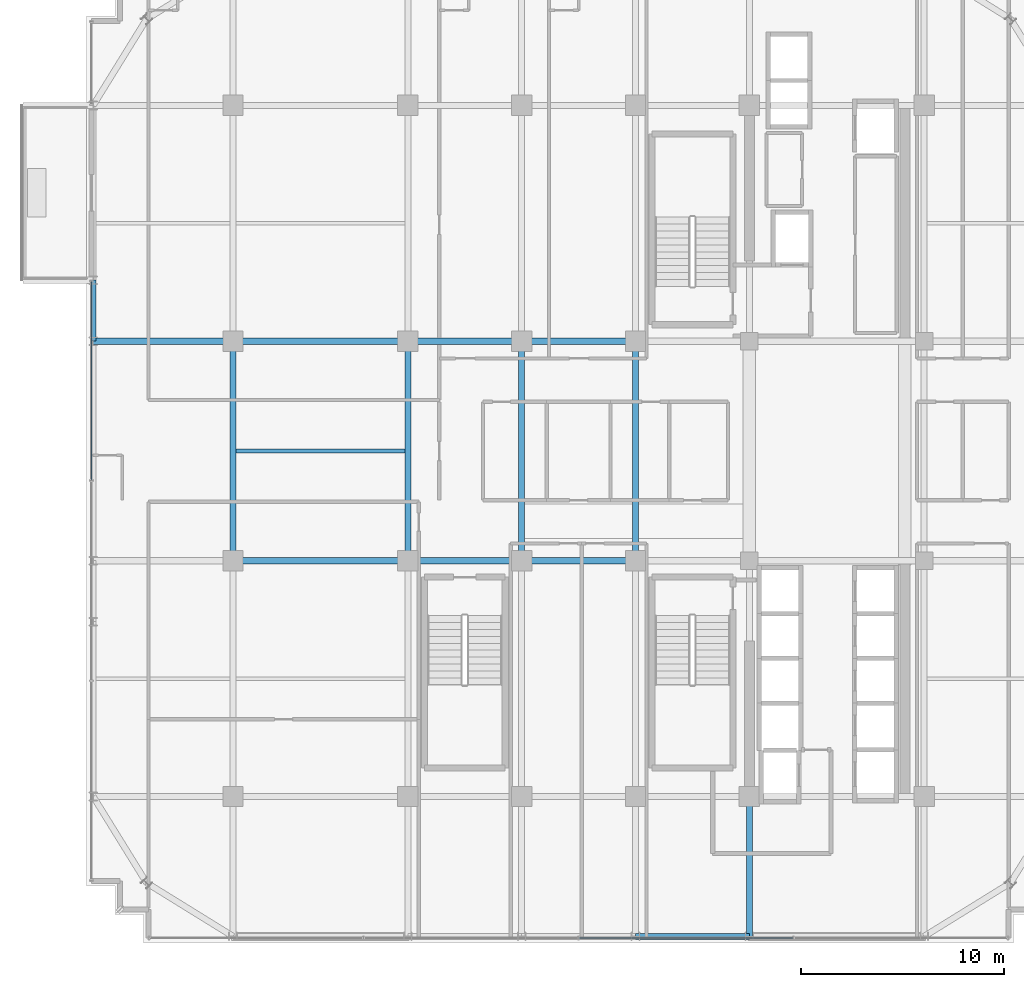
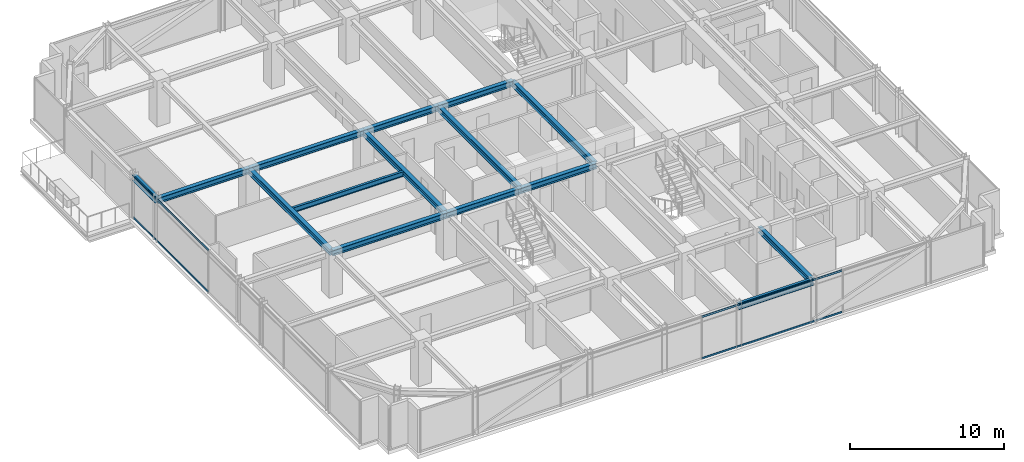
# One storey, part 11 of 41: 15 beams, 4 members, 2 elements without a shape of their own.
"""IFC4 building model written with IfcOpenShell, lengths in metres."""

from ifc_helpers import new_model, si_unit, direction, frame, origin, origin_2d, place, context, subcontext, project, spatial, hollow_rectangle, i_section, extrude, source, transform, mapped, material, material_profile, profile_set, type_object, element, aggregate, save


model = new_model("IFC4")

# Units and contexts
model_context = context("Model", 3, precision=1e-05, world=origin(), true_north=direction((0.0, 1.0)))
body_context = subcontext(model_context, "Body", "Model", "MODEL_VIEW")
ifc_project = project(units=[si_unit("LENGTHUNIT", "METRE"), si_unit("AREAUNIT", "SQUARE_METRE"), si_unit("VOLUMEUNIT", "CUBIC_METRE"), si_unit("PLANEANGLEUNIT", "RADIAN"), si_unit("MASSUNIT", "GRAM", prefix="KILO")], contexts=[model_context])

# Site, building, storey
site_placement = place(None, origin())
site = spatial("IfcSite", under=ifc_project, at=site_placement, CompositionType="ELEMENT")
building_placement = place(site_placement, origin())
building = spatial("IfcBuilding", under=site, at=building_placement, Name="Nahalor Promenade Grand Hotel", CompositionType="ELEMENT")
storey_placement = place(building_placement, frame((0.0, 0.0, 227.10009765625)))
storey = spatial("IfcBuildingStorey", under=building, at=storey_placement, Name="L58", CompositionType="ELEMENT", Elevation=227.10009765625)

# Beams
ifc_material_1 = material(Name="Steel S355JR", Category="steel")
ifc_material_profile_1 = material_profile(ifc_material_1, i_section(OverallWidth=0.3, OverallDepth=0.45, WebThickness=0.014, FlangeThickness=0.026, at=origin_2d()), Name="HEB 450")
ifc_profile_set_1 = profile_set([ifc_material_profile_1], Name="Steel S355JR")
beam_type_1 = type_object("IfcBeamType", Name="Beam-Spandrel-HEB450", PredefinedType="SPANDREL", material=ifc_profile_set_1)
shared_shape_1 = source(origin(), body_context, "Body", "SweptSolid", [
    extrude(i_section(OverallWidth=0.3, OverallDepth=0.45, WebThickness=0.014, FlangeThickness=0.026, at=origin_2d()), origin(), (0.0, 0.0, 1.0), 5.599853515625),
])
beam_1_placement = place(storey_placement, frame((2.800048828125, -23.8798828125, 3.184814453125), z_axis=(1.0, 0.0, 0.0), x_axis=(0.0, 1.0, 0.0)))
element("IfcBeam", 1, at=beam_1_placement, inside=storey, type_object=beam_type_1, Name="BM-L58-SP-S-3", PredefinedType="SPANDREL", context=body_context, shape_type="MappedRepresentation", body=[
    mapped(shared_shape_1, transform((0.0, 0.0, 0.0), scale=1.0)),
])
shared_shape_2 = source(origin(), body_context, "Body", "SweptSolid", [
    extrude(i_section(OverallWidth=0.3, OverallDepth=0.45, WebThickness=0.014, FlangeThickness=0.026, at=origin_2d()), origin(), (0.0, 0.0, 1.0), 3.0),
])
beam_2_placement = place(storey_placement, frame((-23.8798828125, 5.39990234375, 3.184814453125), z_axis=(0.0, 1.0, 0.0), x_axis=(-1.0, 0.0, 0.0)))
element("IfcBeam", 2, at=beam_2_placement, inside=storey, type_object=beam_type_1, Name="BM-L58-SP-W-3", PredefinedType="SPANDREL", context=body_context, shape_type="MappedRepresentation", body=[
    mapped(shared_shape_2, transform((0.0, 0.0, 0.0), scale=1.0)),
])
ifc_material_profile_2 = material_profile(ifc_material_1, i_section(OverallWidth=0.3, OverallDepth=0.45, WebThickness=0.014, FlangeThickness=0.026, at=origin_2d()), Name="HEB 450")
ifc_profile_set_2 = profile_set([ifc_material_profile_2], Name="Steel S355JR")
beam_type_2 = type_object("IfcBeamType", Name="Beam-Girder-HEB450", PredefinedType="BEAM", material=ifc_profile_set_2)
shared_shape_3 = source(origin(), body_context, "Body", "SweptSolid", [
    extrude(i_section(OverallWidth=0.3, OverallDepth=0.45, WebThickness=0.014, FlangeThickness=0.026, at=origin_2d()), origin(), (0.0, 0.0, 1.0), 6.8798828125),
])
for number, where, z_axis, x_axis, name in (
    (3, (-23.8798828125, 5.39990234375, 3.184814453125), (1.0, 0.0, 0.0), (0.0, 1.0, 0.0), "BM-L58-GX-2-0"),
    (4, (8.39990234375, -23.8798828125, 3.184814453125), (0.0, 1.0, 0.0), (-1.0, 0.0, 0.0), "BM-L58-GY-4-0"),
):
    element("IfcBeam", number, at=place(storey_placement, frame(where, z_axis=z_axis, x_axis=x_axis)), inside=storey, type_object=beam_type_2, Name=name, PredefinedType="BEAM", context=body_context, shape_type="MappedRepresentation", body=[
        mapped(shared_shape_3, transform((0.0, 0.0, 0.0), scale=1.0)),
    ])
shared_shape_4 = source(origin(), body_context, "Body", "SweptSolid", [
    extrude(i_section(OverallWidth=0.3, OverallDepth=0.45, WebThickness=0.014, FlangeThickness=0.026, at=origin_2d()), origin(), (0.0, 0.0, 1.0), 8.60009765625),
])
for number, where, z_axis, x_axis, name in (
    (5, (-17.0, -5.39990234375, 3.184814453125), (1.0, 0.0, 0.0), (0.0, 1.0, 0.0), "BM-L58-GX-1-1"),
    (6, (-17.0, 5.39990234375, 3.184814453125), (1.0, 0.0, 0.0), (0.0, 1.0, 0.0), "BM-L58-GX-2-1"),
):
    element("IfcBeam", number, at=place(storey_placement, frame(where, z_axis=z_axis, x_axis=x_axis)), inside=storey, type_object=beam_type_2, Name=name, PredefinedType="BEAM", context=body_context, shape_type="MappedRepresentation", body=[
        mapped(shared_shape_4, transform((0.0, 0.0, 0.0), scale=1.0)),
    ])
shared_shape_5 = source(origin(), body_context, "Body", "SweptSolid", [
    extrude(i_section(OverallWidth=0.3, OverallDepth=0.45, WebThickness=0.014, FlangeThickness=0.026, at=origin_2d()), origin(), (0.0, 0.0, 1.0), 5.599853515625),
])
for number, where, z_axis, x_axis, name in (
    (7, (-8.39990234375, -5.39990234375, 3.184814453125), (1.0, 0.0, 0.0), (0.0, 1.0, 0.0), "BM-L58-GX-1-2"),
    (8, (-8.39990234375, 5.39990234375, 3.184814453125), (1.0, 0.0, 0.0), (0.0, 1.0, 0.0), "BM-L58-GX-2-2"),
):
    element("IfcBeam", number, at=place(storey_placement, frame(where, z_axis=z_axis, x_axis=x_axis)), inside=storey, type_object=beam_type_2, Name=name, PredefinedType="BEAM", context=body_context, shape_type="MappedRepresentation", body=[
        mapped(shared_shape_5, transform((0.0, 0.0, 0.0), scale=1.0)),
    ])
shared_shape_6 = source(origin(), body_context, "Body", "SweptSolid", [
    extrude(i_section(OverallWidth=0.3, OverallDepth=0.45, WebThickness=0.014, FlangeThickness=0.026, at=origin_2d()), origin(), (0.0, 0.0, 1.0), 5.60009765625),
])
for number, where, z_axis, x_axis, name in (
    (9, (-2.800048828125, -5.39990234375, 3.184814453125), (1.0, 0.0, 0.0), (0.0, 1.0, 0.0), "BM-L58-GX-1-3"),
    (10, (-2.800048828125, 5.39990234375, 3.184814453125), (1.0, 0.0, 0.0), (0.0, 1.0, 0.0), "BM-L58-GX-2-3"),
):
    element("IfcBeam", number, at=place(storey_placement, frame(where, z_axis=z_axis, x_axis=x_axis)), inside=storey, type_object=beam_type_2, Name=name, PredefinedType="BEAM", context=body_context, shape_type="MappedRepresentation", body=[
        mapped(shared_shape_6, transform((0.0, 0.0, 0.0), scale=1.0)),
    ])
shared_shape_7 = source(origin(), body_context, "Body", "SweptSolid", [
    extrude(i_section(OverallWidth=0.3, OverallDepth=0.45, WebThickness=0.014, FlangeThickness=0.026, at=origin_2d()), origin(), (0.0, 0.0, 1.0), 10.7998046875),
])
for number, where, z_axis, x_axis, name in (
    (11, (-17.0, -5.39990234375, 3.184814453125), (0.0, 1.0, 0.0), (-1.0, 0.0, 0.0), "BM-L58-GY-0-2"),
    (12, (-8.39990234375, -5.39990234375, 3.184814453125), (0.0, 1.0, 0.0), (-1.0, 0.0, 0.0), "BM-L58-GY-1-2"),
    (13, (-2.800048828125, -5.39990234375, 3.184814453125), (0.0, 1.0, 0.0), (-1.0, 0.0, 0.0), "BM-L58-GY-2-2"),
    (14, (2.800048828125, -5.39990234375, 3.184814453125), (0.0, 1.0, 0.0), (-1.0, 0.0, 0.0), "BM-L58-GY-3-2"),
):
    element("IfcBeam", number, at=place(storey_placement, frame(where, z_axis=z_axis, x_axis=x_axis)), inside=storey, type_object=beam_type_2, Name=name, PredefinedType="BEAM", context=body_context, shape_type="MappedRepresentation", body=[
        mapped(shared_shape_7, transform((0.0, 0.0, 0.0), scale=1.0)),
    ])
ifc_material_profile_3 = material_profile(ifc_material_1, i_section(OverallWidth=0.18, OverallDepth=0.4, WebThickness=0.0086, FlangeThickness=0.0135, at=origin_2d()), Name="IPE 400")
ifc_profile_set_3 = profile_set([ifc_material_profile_3], Name="Steel S355JR")
beam_type_3 = type_object("IfcBeamType", Name="Beam-Joist-IPE400", PredefinedType="JOIST", material=ifc_profile_set_3)
shared_shape_8 = source(origin(), body_context, "Body", "SweptSolid", [
    extrude(i_section(OverallWidth=0.18, OverallDepth=0.4, WebThickness=0.0086, FlangeThickness=0.0135, at=origin_2d()), origin(), (0.0, 0.0, 1.0), 8.300048828125),
])
beam_3_placement = place(storey_placement, frame((-16.85009765625, 0.0, 3.2099609375), z_axis=(1.0, 0.0, 0.0), x_axis=(0.0, 1.0, 0.0)))
element("IfcBeam", 15, at=beam_3_placement, inside=storey, type_object=beam_type_3, Name="BM-L58-JSC-0", PredefinedType="JOIST", context=body_context, shape_type="MappedRepresentation", body=[
    mapped(shared_shape_8, transform((0.0, 0.0, 0.0), scale=1.0)),
])

# Curtain wall, members
ifc_material_2 = material(Name="Anodised Bronze Aluminium EN AW-6063 T6", Category="aluminium")
curtain_wall_type = type_object("IfcCurtainWallType", Name="CW2 Typical Hotel Flush Bronze Unitised Curtain Wall", PredefinedType="USERDEFINED", material=ifc_material_2)
curtain_wall_1_placement = place(storey_placement, origin())
curtain_wall_1 = element("IfcCurtainWall", 16, at=curtain_wall_1_placement, inside=storey, type_object=curtain_wall_type, Name="L58 Curtain Wall CW-L58-S-1", ObjectType="UNITISED_CURTAIN_WALL", PredefinedType="USERDEFINED")
ifc_material_profile_4 = material_profile(ifc_material_2, hollow_rectangle(XDim=0.065, YDim=0.13, WallThickness=0.004, at=origin_2d()), Name="CWT 65x130x4")
ifc_profile_set_4 = profile_set([ifc_material_profile_4], Name="Anodised Bronze Aluminium EN AW-6063 T6")
member_type = type_object("IfcMemberType", Name="CWT2 Typical Bronze Transom 65x130", PredefinedType="USERDEFINED", material=ifc_profile_set_4)
shared_shape_9 = source(origin(), body_context, "Body", "SweptSolid", [
    extrude(hollow_rectangle(XDim=0.065, YDim=0.13, WallThickness=0.004, at=origin_2d()), origin(), (0.0, 0.0, 1.0), 10.51513671875),
])
member_1_placement = place(storey_placement, frame((0.032470703125, -23.9599609375, 0.06494140625), z_axis=(1.0, 0.0, 0.0), x_axis=(0.0, 1.0, 0.0)))
member_1 = element("IfcMember", 17, at=member_1_placement, type_object=member_type, Name="CW-L58-S-1 Transom 2-0", ObjectType="TRANSOM", PredefinedType="USERDEFINED", context=body_context, shape_type="MappedRepresentation", body=[
    mapped(shared_shape_9, transform((0.0, 0.0, 0.0), scale=1.0)),
])
member_2_placement = place(storey_placement, frame((0.032470703125, -23.9599609375, 3.344970703125), z_axis=(1.0, 0.0, 0.0), x_axis=(0.0, 1.0, 0.0)))
member_2 = element("IfcMember", 18, at=member_2_placement, type_object=member_type, Name="CW-L58-S-1 Transom 2-1", ObjectType="TRANSOM", PredefinedType="USERDEFINED", context=body_context, shape_type="MappedRepresentation", body=[
    mapped(shared_shape_9, transform((0.0, 0.0, 0.0), scale=1.0)),
])
aggregate(curtain_wall_1, [member_1, member_2])

curtain_wall_2_placement = place(storey_placement, origin())
curtain_wall_2 = element("IfcCurtainWall", 19, at=curtain_wall_2_placement, inside=storey, type_object=curtain_wall_type, Name="L58 Curtain Wall CW-L58-W-1", ObjectType="UNITISED_CURTAIN_WALL", PredefinedType="USERDEFINED")
shared_shape_10 = source(origin(), body_context, "Body", "SweptSolid", [
    extrude(hollow_rectangle(XDim=0.065, YDim=0.13, WallThickness=0.004, at=origin_2d()), origin(), (0.0, 0.0, 1.0), 9.755859375),
])
member_3_placement = place(storey_placement, frame((-23.9599609375, -1.4208984375, 0.06494140625), z_axis=(0.0, 1.0, 0.0), x_axis=(-1.0, 0.0, 0.0)))
member_3 = element("IfcMember", 20, at=member_3_placement, type_object=member_type, Name="CW-L58-W-1 Transom 2-0", ObjectType="TRANSOM", PredefinedType="USERDEFINED", context=body_context, shape_type="MappedRepresentation", body=[
    mapped(shared_shape_10, transform((0.0, 0.0, 0.0), scale=1.0)),
])
member_4_placement = place(storey_placement, frame((-23.9599609375, -1.4208984375, 3.344970703125), z_axis=(0.0, 1.0, 0.0), x_axis=(-1.0, 0.0, 0.0)))
member_4 = element("IfcMember", 21, at=member_4_placement, type_object=member_type, Name="CW-L58-W-1 Transom 2-1", ObjectType="TRANSOM", PredefinedType="USERDEFINED", context=body_context, shape_type="MappedRepresentation", body=[
    mapped(shared_shape_10, transform((0.0, 0.0, 0.0), scale=1.0)),
])
aggregate(curtain_wall_2, [member_3, member_4])

save(model, "model.ifc")
